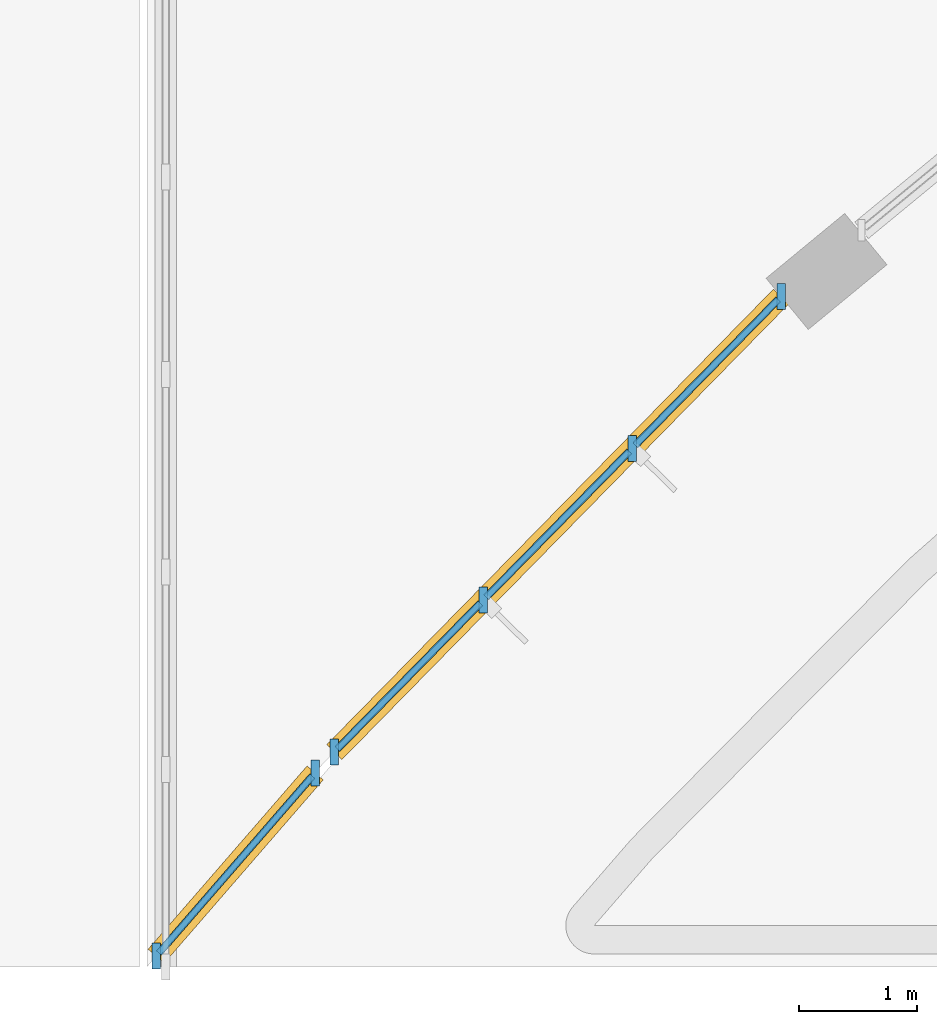
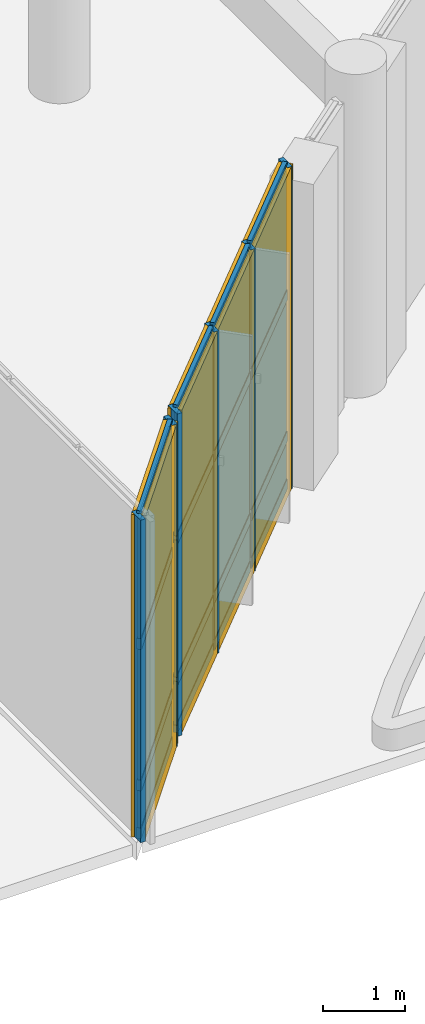
# One storey, part 54 of 122: 22 members, 12 plates, 2 curtain walls.
"""IFC4 building model written with IfcOpenShell, lengths in metres."""

import ifcopenshell
import ifcopenshell.guid

model = None  # the IFC model being written
_history = None  # IfcOwnerHistory: only IFC2X3 demands one
_inside = {}  # id of a spatial element -> (the spatial element, [elements in it])
_under = {}  # id of a project, library or spatial element -> (it, [spatial elements below it])
_declared = {}  # id of a project -> (the project, [libraries it declares])
_typed = {}  # id of a type object -> (the type object, [elements of that type])
_made_of = {}  # id of a material, layer set ... -> (it, [elements and type objects made of it])


def new_model(schema):
    """Start an empty IFC model of exactly this schema.

    Asked for "IFC4X3", IfcOpenShell would pick the latest addendum, in which some entities
    have other attributes; the version numbers below select the first issue.
    IFC2X3 requires an IfcOwnerHistory on every rooted entity: one is made here for all.
    """
    global model, _history
    if schema == "IFC4X3":
        model = ifcopenshell.file(schema_version=(4, 3, 0, 0))
    else:
        model = ifcopenshell.file(schema=schema)
    _inside.clear()
    _under.clear()
    _declared.clear()
    _typed.clear()
    _made_of.clear()
    _history = None
    if model.schema == "IFC2X3":
        org = make("IfcOrganization", Name="unknown")
        user = make(
            "IfcPersonAndOrganization",
            ThePerson=make("IfcPerson", FamilyName="unknown"),
            TheOrganization=org,
        )
        app = make(
            "IfcApplication",
            ApplicationDeveloper=org,
            Version="unknown",
            ApplicationFullName="unknown",
            ApplicationIdentifier="unknown",
        )
        _history = make(
            "IfcOwnerHistory",
            OwningUser=user,
            OwningApplication=app,
            ChangeAction="ADDED",
            CreationDate=0,
        )
    return model


def make(cls, **values):
    """One entity of the class cls with the attributes given. An attribute that is None is left unset."""
    return model.create_entity(
        cls, **{name: value for name, value in values.items() if value is not None}
    )


def rooted(cls, **values):
    """An entity with a GlobalId (a new one), such as an element, a storey or a relation."""
    return make(cls, GlobalId=ifcopenshell.guid.new(), OwnerHistory=_history, **values)


def si_unit(unit_type, name, prefix=None):
    """IfcSIUnit, for example si_unit("LENGTHUNIT", "METRE", prefix="MILLI")."""
    return make("IfcSIUnit", UnitType=unit_type, Prefix=prefix, Name=name)


def assignment(units):
    """IfcUnitAssignment: the units of a project."""
    return None if units is None else make("IfcUnitAssignment", Units=units)


def point(xyz):
    """IfcCartesianPoint."""
    return None if xyz is None else make("IfcCartesianPoint", Coordinates=xyz)


def direction(xyz):
    """IfcDirection."""
    return None if xyz is None else make("IfcDirection", DirectionRatios=xyz)


def frame(location, z_axis=None, x_axis=None):
    """IfcAxis2Placement3D, a coordinate frame: its origin and axes. An axis left out is left unset."""
    return make(
        "IfcAxis2Placement3D",
        Location=point(location),
        Axis=direction(z_axis),
        RefDirection=direction(x_axis),
    )


def frame_2d(location, x_axis=None):
    """IfcAxis2Placement2D, a coordinate frame in the plane: its origin and x axis."""
    return make(
        "IfcAxis2Placement2D", Location=point(location), RefDirection=direction(x_axis)
    )


def origin():
    """The frame at (0, 0, 0) with its axes left unset."""
    return frame((0.0, 0.0, 0.0))


def origin_2d():
    """The frame at (0, 0) in the plane with its x axis left unset."""
    return frame_2d((0.0, 0.0))


def place(relative_to, where):
    """IfcLocalPlacement: puts the frame where relative to a parent placement (None: the world)."""
    return make(
        "IfcLocalPlacement", PlacementRelTo=relative_to, RelativePlacement=where
    )


def context(
    kind, dimensions, precision=None, world=None, true_north=None, identifier=None
):
    """IfcGeometricRepresentationContext, for example the 3D "Model" context."""
    return make(
        "IfcGeometricRepresentationContext",
        ContextIdentifier=identifier,
        ContextType=kind,
        CoordinateSpaceDimension=dimensions,
        Precision=precision,
        WorldCoordinateSystem=world,
        TrueNorth=true_north,
    )


def subcontext(parent, identifier, kind, view, scale=None):
    """IfcGeometricRepresentationSubContext, for example "Body" below "Model"."""
    return make(
        "IfcGeometricRepresentationSubContext",
        ContextIdentifier=identifier,
        ContextType=kind,
        ParentContext=parent,
        TargetScale=scale,
        TargetView=view,
    )


def project(units=None, contexts=None):
    """IfcProject with its units and contexts."""
    return rooted(
        "IfcProject",
        Name="project",
        RepresentationContexts=contexts,
        UnitsInContext=assignment(units),
    )


def spatial(cls, under=None, at=None, **own):
    """A site, building, storey or space (cls), placed at a placement, below another one or the project."""
    s = rooted(cls, ObjectPlacement=at, **own)
    if under is not None:
        _under.setdefault(under.id(), (under, []))[1].append(s)
    return s


def profile(cls, at=None, kind="AREA", **sizes):
    """A parametric profile (cls). Its sizes go by their IFC names, for example OverallWidth=200.0."""
    return make(cls, ProfileType=kind, Position=at, **sizes)


def rectangle(**sizes):
    """IfcRectangleProfileDef."""
    return profile("IfcRectangleProfileDef", **sizes)


def extrude(swept, where, along, depth):
    """IfcExtrudedAreaSolid: the profile swept, set in the frame where, extruded along a direction by depth."""
    return make(
        "IfcExtrudedAreaSolid",
        SweptArea=swept,
        Position=where,
        ExtrudedDirection=direction(along),
        Depth=depth,
    )


def shape(context_of_items, identifier, shape_type, items):
    """IfcShapeRepresentation: the items that make up one representation, for example the "Body"."""
    return make(
        "IfcShapeRepresentation",
        ContextOfItems=context_of_items,
        RepresentationIdentifier=identifier,
        RepresentationType=shape_type,
        Items=items,
    )


def material(Name=None, Category=None):
    """IfcMaterial."""
    return make("IfcMaterial", Name=Name, Category=Category)


def layer(
    of_material, thickness, ventilated=None, Name=None, Category=None, Priority=None
):
    """IfcMaterialLayer: one layer of a wall or slab, of a material (None: an air gap)."""
    return make(
        "IfcMaterialLayer",
        Material=of_material,
        LayerThickness=thickness,
        IsVentilated=ventilated,
        Name=Name,
        Category=Category,
        Priority=Priority,
    )


def layer_set(layers, Name=None):
    """IfcMaterialLayerSet."""
    return make("IfcMaterialLayerSet", MaterialLayers=layers, LayerSetName=Name)


def material_profile(
    of_material, cross_section, Name=None, Category=None, Priority=None
):
    """IfcMaterialProfile: a cross section and its material."""
    return make(
        "IfcMaterialProfile",
        Name=Name,
        Material=of_material,
        Profile=cross_section,
        Priority=Priority,
        Category=Category,
    )


def profile_set(profiles, Name=None, composite=None):
    """IfcMaterialProfileSet."""
    return make(
        "IfcMaterialProfileSet",
        Name=Name,
        MaterialProfiles=profiles,
        CompositeProfile=composite,
    )


def made_of(thing, what):
    """Note that an element or type object is made of a material, layer set ...; save() writes the relation."""
    if what is not None:
        _made_of.setdefault(what.id(), (what, []))[1].append(thing)
    return thing


def type_object(cls, material=None, **own):
    """A type object (cls), such as IfcWallType, which elements share."""
    return made_of(rooted(cls, **own), material)


def element(
    cls,
    number,
    at=None,
    inside=None,
    cuts=None,
    type_object=None,
    material=None,
    context=None,
    identifier="Body",
    shape_type=None,
    held_by="IfcProductDefinitionShape",
    body=None,
    shapes=None,
    **own,
):
    """One element of the class cls, such as IfcWall. Its Tag is "e" and its number.

    at: its placement. inside: the storey or other place that contains it. cuts: it is an
    opening in that element (IfcRelVoidsElement). A single representation is given by context,
    identifier, shape_type and body (its items); several are given by shapes. held_by: the class
    of the entity that holds the representations. save() writes the other relations.
    """
    e = rooted(cls, Tag="e%d" % number, ObjectPlacement=at, **own)
    if body is not None:
        shapes = [shape(context, identifier, shape_type, body)]
    if shapes is not None:
        e.Representation = make(held_by, Representations=shapes)
    if inside is not None:
        _inside.setdefault(inside.id(), (inside, []))[1].append(e)
    if cuts is not None:
        rooted(
            "IfcRelVoidsElement", RelatingBuildingElement=cuts, RelatedOpeningElement=e
        )
    if type_object is not None:
        _typed.setdefault(type_object.id(), (type_object, []))[1].append(e)
    return made_of(e, material)


def aggregate(whole, parts):
    """IfcRelAggregates: a whole, such as a stair, and the parts it consists of."""
    return rooted("IfcRelAggregates", RelatingObject=whole, RelatedObjects=parts)


def save(model, path):
    """Write the relations noted so far, then the file.

    IfcRelAggregates (storeys below a building ...), IfcRelContainedInSpatialStructure (elements
    in a storey), IfcRelDefinesByType, IfcRelAssociatesMaterial and IfcRelDeclares: one each for
    every whole, place, type object, material and project.
    """
    for whole, parts in _under.values():
        aggregate(whole, parts)
    for where, things in _inside.values():
        rooted(
            "IfcRelContainedInSpatialStructure",
            RelatedElements=things,
            RelatingStructure=where,
        )
    for kind, things in _typed.values():
        rooted("IfcRelDefinesByType", RelatedObjects=things, RelatingType=kind)
    for what, things in _made_of.values():
        rooted("IfcRelAssociatesMaterial", RelatedObjects=things, RelatingMaterial=what)
    for by, libraries in _declared.values():
        rooted("IfcRelDeclares", RelatingContext=by, RelatedDefinitions=libraries)
    model.write(path)


model = new_model("IFC4")

# Units and contexts
model_context = context("Model", 3, precision=1e-05, world=origin(), true_north=direction((0.0, 1.0)))
body_context = subcontext(model_context, "Body", "Model", "MODEL_VIEW")
ifc_project = project(units=[si_unit("LENGTHUNIT", "METRE"), si_unit("AREAUNIT", "SQUARE_METRE"), si_unit("VOLUMEUNIT", "CUBIC_METRE"), si_unit("PLANEANGLEUNIT", "RADIAN"), si_unit("MASSUNIT", "GRAM", prefix="KILO")], contexts=[model_context])

# Member
ifc_material_1 = material(Name="Anodised Bronze Aluminium 6063-T6", Category="aluminium")
ifc_material_profile_1 = material_profile(ifc_material_1, rectangle(XDim=0.070068359375, YDim=0.219970703125, at=origin_2d()), Name="ALU MULLION 70x220")
ifc_profile_set_1 = profile_set([ifc_material_profile_1], Name="Anodised Bronze Aluminium 6063-T6")
member_type_1 = type_object("IfcMemberType", Name="Curtain-Wall Heavy Mullion 70x220", PredefinedType="MULLION", material=ifc_profile_set_1)
site_placement = place(None, origin())
building_placement = place(site_placement, origin())
storey_placement = place(building_placement, origin())
member_1_placement = place(storey_placement, frame((36.07861328125, 1.540771484375, 0.0), z_axis=(0.0, 0.0, 1.0), x_axis=(1.0, 0.0, 0.0)))
member_1 = element("IfcMember", 1, at=member_1_placement, type_object=member_type_1, Name="Mullion CWM-02 CW-V5-CRN-L00-C01-M01", PredefinedType="MULLION", context=body_context, shape_type="SweptSolid", body=[
    extrude(rectangle(XDim=0.070068359375, YDim=0.219970703125, at=origin_2d()), origin(), (0.0, 0.0, 1.0), 4.780029296875),
])

member_2_placement = place(storey_placement, frame((37.42138671875, 3.089111328125, 0.0), z_axis=(0.0, 0.0, 1.0), x_axis=(1.0, 0.0, 0.0)))
member_2 = element("IfcMember", 2, at=member_2_placement, type_object=member_type_1, Name="Mullion CWM-02 CW-V5-CRN-L00-C01-M02", PredefinedType="MULLION", context=body_context, shape_type="SweptSolid", body=[
    extrude(rectangle(XDim=0.070068359375, YDim=0.219970703125, at=origin_2d()), origin(), (0.0, 0.0, 1.0), 4.780029296875),
])

member_3_placement = place(storey_placement, frame((37.583984375, 3.265380859375, 0.0), z_axis=(0.0, 0.0, 1.0), x_axis=(1.0, 0.0, 0.0)))
member_3 = element("IfcMember", 3, at=member_3_placement, type_object=member_type_1, Name="Mullion CWM-02 CW-V5-CRN-L00-C02-M01", PredefinedType="MULLION", context=body_context, shape_type="SweptSolid", body=[
    extrude(rectangle(XDim=0.070068359375, YDim=0.219970703125, at=origin_2d()), origin(), (0.0, 0.0, 1.0), 4.780029296875),
])

member_4_placement = place(storey_placement, frame((38.842041015625, 4.548095703125, 0.0), z_axis=(0.0, 0.0, 1.0), x_axis=(1.0, 0.0, 0.0)))
member_4 = element("IfcMember", 4, at=member_4_placement, type_object=member_type_1, Name="Mullion CWM-02 CW-V5-CRN-L00-C02-M02", PredefinedType="MULLION", context=body_context, shape_type="SweptSolid", body=[
    extrude(rectangle(XDim=0.070068359375, YDim=0.219970703125, at=origin_2d()), origin(), (0.0, 0.0, 1.0), 4.780029296875),
])

member_5_placement = place(storey_placement, frame((40.10009765625, 5.830810546875, 0.0), z_axis=(0.0, 0.0, 1.0), x_axis=(1.0, 0.0, 0.0)))
member_5 = element("IfcMember", 5, at=member_5_placement, type_object=member_type_1, Name="Mullion CWM-02 CW-V5-CRN-L00-C02-M03", PredefinedType="MULLION", context=body_context, shape_type="SweptSolid", body=[
    extrude(rectangle(XDim=0.070068359375, YDim=0.219970703125, at=origin_2d()), origin(), (0.0, 0.0, 1.0), 4.780029296875),
])

member_6_placement = place(storey_placement, frame((41.358154296875, 7.11328125, 0.0), z_axis=(0.0, 0.0, 1.0), x_axis=(1.0, 0.0, 0.0)))
member_6 = element("IfcMember", 6, at=member_6_placement, type_object=member_type_1, Name="Mullion CWM-02 CW-V5-CRN-L00-C02-M04", PredefinedType="MULLION", context=body_context, shape_type="SweptSolid", body=[
    extrude(rectangle(XDim=0.070068359375, YDim=0.219970703125, at=origin_2d()), origin(), (0.0, 0.0, 1.0), 4.780029296875),
])

ifc_material_profile_2 = material_profile(ifc_material_1, rectangle(XDim=0.06005859375, YDim=0.159912109375, at=origin_2d()), Name="ALU TRANSOM 60x160")
ifc_profile_set_2 = profile_set([ifc_material_profile_2], Name="Anodised Bronze Aluminium 6063-T6")
member_type_2 = type_object("IfcMemberType", Name="Curtain-Wall Heavy Transom 60x160", PredefinedType="USERDEFINED", material=ifc_profile_set_2)
member_7_placement = place(storey_placement, frame((36.1015625, 1.567138671875, 0.0400390625), z_axis=(0.655127718536, 0.755518148297, 0.0), x_axis=(-0.755518148297, 0.655127718536, 0.0)))
member_7 = element("IfcMember", 7, at=member_7_placement, type_object=member_type_2, Name="Transom CWT-02 CW-V5-CRN-L00-C01-T01.1", ObjectType="TRANSOM", PredefinedType="USERDEFINED", context=body_context, shape_type="SweptSolid", body=[
    extrude(rectangle(XDim=0.06005859375, YDim=0.159912109375, at=origin_2d()), origin(), (0.0, 0.0, 1.0), 1.9794921875),
])

member_8_placement = place(storey_placement, frame((36.1015625, 1.567138671875, 0.75), z_axis=(0.655127718536, 0.755518148297, 0.0), x_axis=(-0.755518148297, 0.655127718536, 0.0)))
member_8 = element("IfcMember", 8, at=member_8_placement, type_object=member_type_2, Name="Transom CWT-02 CW-V5-CRN-L00-C01-T01.2", ObjectType="TRANSOM", PredefinedType="USERDEFINED", context=body_context, shape_type="SweptSolid", body=[
    extrude(rectangle(XDim=0.06005859375, YDim=0.159912109375, at=origin_2d()), origin(), (0.0, 0.0, 1.0), 1.9794921875),
])

member_9_placement = place(storey_placement, frame((36.1015625, 1.567138671875, 2.845703125), z_axis=(0.655127718536, 0.755518148297, 0.0), x_axis=(-0.755518148297, 0.655127718536, 0.0)))
member_9 = element("IfcMember", 9, at=member_9_placement, type_object=member_type_2, Name="Transom CWT-02 CW-V5-CRN-L00-C01-T01.3", ObjectType="TRANSOM", PredefinedType="USERDEFINED", context=body_context, shape_type="SweptSolid", body=[
    extrude(rectangle(XDim=0.06005859375, YDim=0.159912109375, at=origin_2d()), origin(), (0.0, 0.0, 1.0), 1.9794921875),
])

member_10_placement = place(storey_placement, frame((36.1015625, 1.567138671875, 4.739990234375), z_axis=(0.655127718536, 0.755518148297, 0.0), x_axis=(-0.755518148297, 0.655127718536, 0.0)))
member_10 = element("IfcMember", 10, at=member_10_placement, type_object=member_type_2, Name="Transom CWT-02 CW-V5-CRN-L00-C01-T01.4", ObjectType="TRANSOM", PredefinedType="USERDEFINED", context=body_context, shape_type="SweptSolid", body=[
    extrude(rectangle(XDim=0.06005859375, YDim=0.159912109375, at=origin_2d()), origin(), (0.0, 0.0, 1.0), 1.9794921875),
])

member_11_placement = place(storey_placement, frame((37.6083984375, 3.29052734375, 0.0400390625), z_axis=(0.700287657852, 0.713860768119, 0.0), x_axis=(-0.713860768119, 0.700287657852, 0.0)))
member_11 = element("IfcMember", 11, at=member_11_placement, type_object=member_type_2, Name="Transom CWT-02 CW-V5-CRN-L00-C02-T01.1", ObjectType="TRANSOM", PredefinedType="USERDEFINED", context=body_context, shape_type="SweptSolid", body=[
    extrude(rectangle(XDim=0.06005859375, YDim=0.159912109375, at=origin_2d()), origin(), (0.0, 0.0, 1.0), 1.726806640625),
])

member_12_placement = place(storey_placement, frame((37.6083984375, 3.29052734375, 0.75), z_axis=(0.700287657852, 0.713860768119, 0.0), x_axis=(-0.713860768119, 0.700287657852, 0.0)))
member_12 = element("IfcMember", 12, at=member_12_placement, type_object=member_type_2, Name="Transom CWT-02 CW-V5-CRN-L00-C02-T01.2", ObjectType="TRANSOM", PredefinedType="USERDEFINED", context=body_context, shape_type="SweptSolid", body=[
    extrude(rectangle(XDim=0.06005859375, YDim=0.159912109375, at=origin_2d()), origin(), (0.0, 0.0, 1.0), 1.726806640625),
])

member_13_placement = place(storey_placement, frame((37.6083984375, 3.29052734375, 2.845703125), z_axis=(0.700287657852, 0.713860768119, 0.0), x_axis=(-0.713860768119, 0.700287657852, 0.0)))
member_13 = element("IfcMember", 13, at=member_13_placement, type_object=member_type_2, Name="Transom CWT-02 CW-V5-CRN-L00-C02-T01.3", ObjectType="TRANSOM", PredefinedType="USERDEFINED", context=body_context, shape_type="SweptSolid", body=[
    extrude(rectangle(XDim=0.06005859375, YDim=0.159912109375, at=origin_2d()), origin(), (0.0, 0.0, 1.0), 1.726806640625),
])

member_14_placement = place(storey_placement, frame((37.6083984375, 3.29052734375, 4.739990234375), z_axis=(0.700287657852, 0.713860768119, 0.0), x_axis=(-0.713860768119, 0.700287657852, 0.0)))
member_14 = element("IfcMember", 14, at=member_14_placement, type_object=member_type_2, Name="Transom CWT-02 CW-V5-CRN-L00-C02-T01.4", ObjectType="TRANSOM", PredefinedType="USERDEFINED", context=body_context, shape_type="SweptSolid", body=[
    extrude(rectangle(XDim=0.06005859375, YDim=0.159912109375, at=origin_2d()), origin(), (0.0, 0.0, 1.0), 1.726806640625),
])

member_15_placement = place(storey_placement, frame((38.86669921875, 4.572998046875, 0.0400390625), z_axis=(0.700215596953, 0.71393145174, 0.0), x_axis=(-0.71393145174, 0.700215596953, 0.0)))
member_15 = element("IfcMember", 15, at=member_15_placement, type_object=member_type_2, Name="Transom CWT-02 CW-V5-CRN-L00-C02-T02.1", ObjectType="TRANSOM", PredefinedType="USERDEFINED", context=body_context, shape_type="SweptSolid", body=[
    extrude(rectangle(XDim=0.06005859375, YDim=0.159912109375, at=origin_2d()), origin(), (0.0, 0.0, 1.0), 1.7265625),
])

member_16_placement = place(storey_placement, frame((38.86669921875, 4.572998046875, 0.75), z_axis=(0.700215596953, 0.71393145174, 0.0), x_axis=(-0.71393145174, 0.700215596953, 0.0)))
member_16 = element("IfcMember", 16, at=member_16_placement, type_object=member_type_2, Name="Transom CWT-02 CW-V5-CRN-L00-C02-T02.2", ObjectType="TRANSOM", PredefinedType="USERDEFINED", context=body_context, shape_type="SweptSolid", body=[
    extrude(rectangle(XDim=0.06005859375, YDim=0.159912109375, at=origin_2d()), origin(), (0.0, 0.0, 1.0), 1.7265625),
])

member_17_placement = place(storey_placement, frame((38.86669921875, 4.572998046875, 2.845703125), z_axis=(0.700215596953, 0.71393145174, 0.0), x_axis=(-0.71393145174, 0.700215596953, 0.0)))
member_17 = element("IfcMember", 17, at=member_17_placement, type_object=member_type_2, Name="Transom CWT-02 CW-V5-CRN-L00-C02-T02.3", ObjectType="TRANSOM", PredefinedType="USERDEFINED", context=body_context, shape_type="SweptSolid", body=[
    extrude(rectangle(XDim=0.06005859375, YDim=0.159912109375, at=origin_2d()), origin(), (0.0, 0.0, 1.0), 1.7265625),
])

member_18_placement = place(storey_placement, frame((38.86669921875, 4.572998046875, 4.739990234375), z_axis=(0.700215596953, 0.71393145174, 0.0), x_axis=(-0.71393145174, 0.700215596953, 0.0)))
member_18 = element("IfcMember", 18, at=member_18_placement, type_object=member_type_2, Name="Transom CWT-02 CW-V5-CRN-L00-C02-T02.4", ObjectType="TRANSOM", PredefinedType="USERDEFINED", context=body_context, shape_type="SweptSolid", body=[
    extrude(rectangle(XDim=0.06005859375, YDim=0.159912109375, at=origin_2d()), origin(), (0.0, 0.0, 1.0), 1.7265625),
])

member_19_placement = place(storey_placement, frame((40.12451171875, 5.855712890625, 0.0400390625), z_axis=(0.700287657852, 0.713860768119, 0.0), x_axis=(-0.713860768119, 0.700287657852, 0.0)))
member_19 = element("IfcMember", 19, at=member_19_placement, type_object=member_type_2, Name="Transom CWT-02 CW-V5-CRN-L00-C02-T03.1", ObjectType="TRANSOM", PredefinedType="USERDEFINED", context=body_context, shape_type="SweptSolid", body=[
    extrude(rectangle(XDim=0.06005859375, YDim=0.159912109375, at=origin_2d()), origin(), (0.0, 0.0, 1.0), 1.726806640625),
])

member_20_placement = place(storey_placement, frame((40.12451171875, 5.855712890625, 0.75), z_axis=(0.700287657852, 0.713860768119, 0.0), x_axis=(-0.713860768119, 0.700287657852, 0.0)))
member_20 = element("IfcMember", 20, at=member_20_placement, type_object=member_type_2, Name="Transom CWT-02 CW-V5-CRN-L00-C02-T03.2", ObjectType="TRANSOM", PredefinedType="USERDEFINED", context=body_context, shape_type="SweptSolid", body=[
    extrude(rectangle(XDim=0.06005859375, YDim=0.159912109375, at=origin_2d()), origin(), (0.0, 0.0, 1.0), 1.726806640625),
])

member_21_placement = place(storey_placement, frame((40.12451171875, 5.855712890625, 2.845703125), z_axis=(0.700287657852, 0.713860768119, 0.0), x_axis=(-0.713860768119, 0.700287657852, 0.0)))
member_21 = element("IfcMember", 21, at=member_21_placement, type_object=member_type_2, Name="Transom CWT-02 CW-V5-CRN-L00-C02-T03.3", ObjectType="TRANSOM", PredefinedType="USERDEFINED", context=body_context, shape_type="SweptSolid", body=[
    extrude(rectangle(XDim=0.06005859375, YDim=0.159912109375, at=origin_2d()), origin(), (0.0, 0.0, 1.0), 1.726806640625),
])

member_22_placement = place(storey_placement, frame((40.12451171875, 5.855712890625, 4.739990234375), z_axis=(0.700287657852, 0.713860768119, 0.0), x_axis=(-0.713860768119, 0.700287657852, 0.0)))
member_22 = element("IfcMember", 22, at=member_22_placement, type_object=member_type_2, Name="Transom CWT-02 CW-V5-CRN-L00-C02-T03.4", ObjectType="TRANSOM", PredefinedType="USERDEFINED", context=body_context, shape_type="SweptSolid", body=[
    extrude(rectangle(XDim=0.06005859375, YDim=0.159912109375, at=origin_2d()), origin(), (0.0, 0.0, 1.0), 1.726806640625),
])

# Plate
ifc_material_2 = material(Name="Double Low-E Acoustic Laminated Glass", Category="glass")
ifc_layer_1 = layer(ifc_material_2, 0.0439453125, Name="Double Low-E Acoustic Laminated Glass")
ifc_layer_set_1 = layer_set([ifc_layer_1], Name="Double Low-E Acoustic Laminated Glass")
plate_type_1 = type_object("IfcPlateType", Name="Acoustic Laminated Low-E Glazing Unit 44", PredefinedType="CURTAIN_PANEL", material=ifc_layer_set_1)
plate_1_placement = place(storey_placement, frame((36.75, 2.31494140625, 0.780029296875), z_axis=(0.0, 0.0, 1.0), x_axis=(0.655168134077, 0.755483101128, 0.0)))
plate_1 = element("IfcPlate", 23, at=plate_1_placement, type_object=plate_type_1, Name="Curtain Panel CWP-01 CW-V5-CRN-L00-C01-P01.2", PredefinedType="CURTAIN_PANEL", context=body_context, shape_type="SweptSolid", body=[
    extrude(rectangle(XDim=1.9794921875, YDim=0.0439453125, at=origin_2d()), origin(), (0.0, 0.0, 1.0), 2.03564453125),
])

plate_2_placement = place(storey_placement, frame((36.75, 2.31494140625, 2.87548828125), z_axis=(0.0, 0.0, 1.0), x_axis=(0.655168134077, 0.755483101128, 0.0)))
plate_2 = element("IfcPlate", 24, at=plate_2_placement, type_object=plate_type_1, Name="Curtain Panel CWP-01 CW-V5-CRN-L00-C01-P01.3", PredefinedType="CURTAIN_PANEL", context=body_context, shape_type="SweptSolid", body=[
    extrude(rectangle(XDim=1.9794921875, YDim=0.0439453125, at=origin_2d()), origin(), (0.0, 0.0, 1.0), 1.83447265625),
])

plate_3_placement = place(storey_placement, frame((38.212890625, 3.90673828125, 0.780029296875), z_axis=(0.0, 0.0, 1.0), x_axis=(0.700246698398, 0.713900946479, 0.0)))
plate_3 = element("IfcPlate", 25, at=plate_3_placement, type_object=plate_type_1, Name="Curtain Panel CWP-01 CW-V5-CRN-L00-C02-P01.2", PredefinedType="CURTAIN_PANEL", context=body_context, shape_type="SweptSolid", body=[
    extrude(rectangle(XDim=1.7265625, YDim=0.0439453125, at=origin_2d()), origin(), (0.0, 0.0, 1.0), 2.03564453125),
])

plate_4_placement = place(storey_placement, frame((38.212890625, 3.90673828125, 2.87548828125), z_axis=(0.0, 0.0, 1.0), x_axis=(0.700246698398, 0.713900946479, 0.0)))
plate_4 = element("IfcPlate", 26, at=plate_4_placement, type_object=plate_type_1, Name="Curtain Panel CWP-01 CW-V5-CRN-L00-C02-P01.3", PredefinedType="CURTAIN_PANEL", context=body_context, shape_type="SweptSolid", body=[
    extrude(rectangle(XDim=1.7265625, YDim=0.0439453125, at=origin_2d()), origin(), (0.0, 0.0, 1.0), 1.83447265625),
])

plate_5_placement = place(storey_placement, frame((39.47119140625, 5.189453125, 0.780029296875), z_axis=(0.0, 0.0, 1.0), x_axis=(0.700246698398, 0.713900946479, 0.0)))
plate_5 = element("IfcPlate", 27, at=plate_5_placement, type_object=plate_type_1, Name="Curtain Panel CWP-01 CW-V5-CRN-L00-C02-P02.2", PredefinedType="CURTAIN_PANEL", context=body_context, shape_type="SweptSolid", body=[
    extrude(rectangle(XDim=1.7265625, YDim=0.0439453125, at=origin_2d()), origin(), (0.0, 0.0, 1.0), 2.03564453125),
])

plate_6_placement = place(storey_placement, frame((39.47119140625, 5.189453125, 2.87548828125), z_axis=(0.0, 0.0, 1.0), x_axis=(0.700246698398, 0.713900946479, 0.0)))
plate_6 = element("IfcPlate", 28, at=plate_6_placement, type_object=plate_type_1, Name="Curtain Panel CWP-01 CW-V5-CRN-L00-C02-P02.3", PredefinedType="CURTAIN_PANEL", context=body_context, shape_type="SweptSolid", body=[
    extrude(rectangle(XDim=1.7265625, YDim=0.0439453125, at=origin_2d()), origin(), (0.0, 0.0, 1.0), 1.83447265625),
])

plate_7_placement = place(storey_placement, frame((40.729248046875, 6.471923828125, 0.780029296875), z_axis=(0.0, 0.0, 1.0), x_axis=(0.700246698398, 0.713900946479, 0.0)))
plate_7 = element("IfcPlate", 29, at=plate_7_placement, type_object=plate_type_1, Name="Curtain Panel CWP-01 CW-V5-CRN-L00-C02-P03.2", PredefinedType="CURTAIN_PANEL", context=body_context, shape_type="SweptSolid", body=[
    extrude(rectangle(XDim=1.7265625, YDim=0.0439453125, at=origin_2d()), origin(), (0.0, 0.0, 1.0), 2.03564453125),
])

plate_8_placement = place(storey_placement, frame((40.729248046875, 6.471923828125, 2.87548828125), z_axis=(0.0, 0.0, 1.0), x_axis=(0.700246698398, 0.713900946479, 0.0)))
plate_8 = element("IfcPlate", 30, at=plate_8_placement, type_object=plate_type_1, Name="Curtain Panel CWP-01 CW-V5-CRN-L00-C02-P03.3", PredefinedType="CURTAIN_PANEL", context=body_context, shape_type="SweptSolid", body=[
    extrude(rectangle(XDim=1.7265625, YDim=0.0439453125, at=origin_2d()), origin(), (0.0, 0.0, 1.0), 1.83447265625),
])

ifc_material_3 = material(Name="Ceramic-Fritted Tempered Laminated Glass", Category="glass")
ifc_layer_2 = layer(ifc_material_3, 0.0458984375, Name="Ceramic-Fritted Tempered Laminated Glass")
ifc_layer_set_2 = layer_set([ifc_layer_2], Name="Ceramic-Fritted Tempered Laminated Glass")
plate_type_2 = type_object("IfcPlateType", Name="Ceramic-Frit Acoustic Spandrel Glazing 46", PredefinedType="CURTAIN_PANEL", material=ifc_layer_set_2)
plate_9_placement = place(storey_placement, frame((36.75, 2.31494140625, 0.070068359375), z_axis=(0.0, 0.0, 1.0), x_axis=(0.655168134077, 0.755483101128, 0.0)))
plate_9 = element("IfcPlate", 31, at=plate_9_placement, type_object=plate_type_2, Name="Curtain Panel CWP-04 CW-V5-CRN-L00-C01-P01.1", PredefinedType="CURTAIN_PANEL", context=body_context, shape_type="SweptSolid", body=[
    extrude(rectangle(XDim=1.9794921875, YDim=0.0458984375, at=origin_2d()), origin(), (0.0, 0.0, 1.0), 0.64990234375),
])

plate_10_placement = place(storey_placement, frame((38.212890625, 3.90673828125, 0.070068359375), z_axis=(0.0, 0.0, 1.0), x_axis=(0.700246698398, 0.713900946479, 0.0)))
plate_10 = element("IfcPlate", 32, at=plate_10_placement, type_object=plate_type_2, Name="Curtain Panel CWP-04 CW-V5-CRN-L00-C02-P01.1", PredefinedType="CURTAIN_PANEL", context=body_context, shape_type="SweptSolid", body=[
    extrude(rectangle(XDim=1.7265625, YDim=0.0458984375, at=origin_2d()), origin(), (0.0, 0.0, 1.0), 0.64990234375),
])

plate_11_placement = place(storey_placement, frame((39.47119140625, 5.189453125, 0.070068359375), z_axis=(0.0, 0.0, 1.0), x_axis=(0.700246698398, 0.713900946479, 0.0)))
plate_11 = element("IfcPlate", 33, at=plate_11_placement, type_object=plate_type_2, Name="Curtain Panel CWP-04 CW-V5-CRN-L00-C02-P02.1", PredefinedType="CURTAIN_PANEL", context=body_context, shape_type="SweptSolid", body=[
    extrude(rectangle(XDim=1.7265625, YDim=0.0458984375, at=origin_2d()), origin(), (0.0, 0.0, 1.0), 0.64990234375),
])

plate_12_placement = place(storey_placement, frame((40.729248046875, 6.471923828125, 0.070068359375), z_axis=(0.0, 0.0, 1.0), x_axis=(0.700246698398, 0.713900946479, 0.0)))
plate_12 = element("IfcPlate", 34, at=plate_12_placement, type_object=plate_type_2, Name="Curtain Panel CWP-04 CW-V5-CRN-L00-C02-P03.1", PredefinedType="CURTAIN_PANEL", context=body_context, shape_type="SweptSolid", body=[
    extrude(rectangle(XDim=1.7265625, YDim=0.0458984375, at=origin_2d()), origin(), (0.0, 0.0, 1.0), 0.64990234375),
])

# Site, building, storey
site = spatial("IfcSite", under=ifc_project, at=site_placement, CompositionType="ELEMENT")
building = spatial("IfcBuilding", under=site, at=building_placement, Name="Tazoul Stagehouse", CompositionType="ELEMENT")
storey = spatial("IfcBuildingStorey", under=building, at=storey_placement, Name="L00", CompositionType="ELEMENT", Elevation=0.0)

# Curtain wall
curtain_wall_type = type_object("IfcCurtainWallType", Name="Crescent Double-Skin Acoustic Curtain Wall", PredefinedType="NOTDEFINED", material=ifc_material_1)
curtain_wall_1_placement = place(storey_placement, frame((36.07861328125, 1.540771484375, 0.0), z_axis=(0.0, 0.0, 1.0), x_axis=(0.655175401154, 0.755476798931, 0.0)))
curtain_wall_1 = element("IfcCurtainWall", 35, at=curtain_wall_1_placement, inside=storey, type_object=curtain_wall_type, Name="L00 Curtain Wall CW-01 (CW-V5-CRN-L00-C01)", PredefinedType="NOTDEFINED", context=body_context, shape_type="SweptSolid", body=[
    extrude(rectangle(XDim=2.049560546875, YDim=0.179931640625, at=frame_2d((1.02490234375, 0.0))), origin(), (0.0, 0.0, 1.0), 4.780029296875),
])

aggregate(curtain_wall_1, [member_1, member_2, member_7, member_8, member_9, member_10, plate_9, plate_1, plate_2])

curtain_wall_2_placement = place(storey_placement, frame((37.583984375, 3.265380859375, 0.0), z_axis=(0.0, 0.0, 1.0), x_axis=(0.700233974264, 0.713913427025, 0.0)))
curtain_wall_2 = element("IfcCurtainWall", 36, at=curtain_wall_2_placement, inside=storey, type_object=curtain_wall_type, Name="L00 Curtain Wall CW-01 (CW-V5-CRN-L00-C02)", PredefinedType="NOTDEFINED", context=body_context, shape_type="SweptSolid", body=[
    extrude(rectangle(XDim=5.389892578125, YDim=0.179931640625, at=frame_2d((2.69482421875, 0.0))), origin(), (0.0, 0.0, 1.0), 4.780029296875),
])

aggregate(curtain_wall_2, [member_3, member_4, member_5, member_6, member_11, member_12, member_13, member_14, plate_10, plate_3, plate_4, member_15, member_16, member_17, member_18, plate_11, plate_5, plate_6, member_19, member_20, member_21, member_22, plate_12, plate_7, plate_8])

save(model, "model.ifc")
